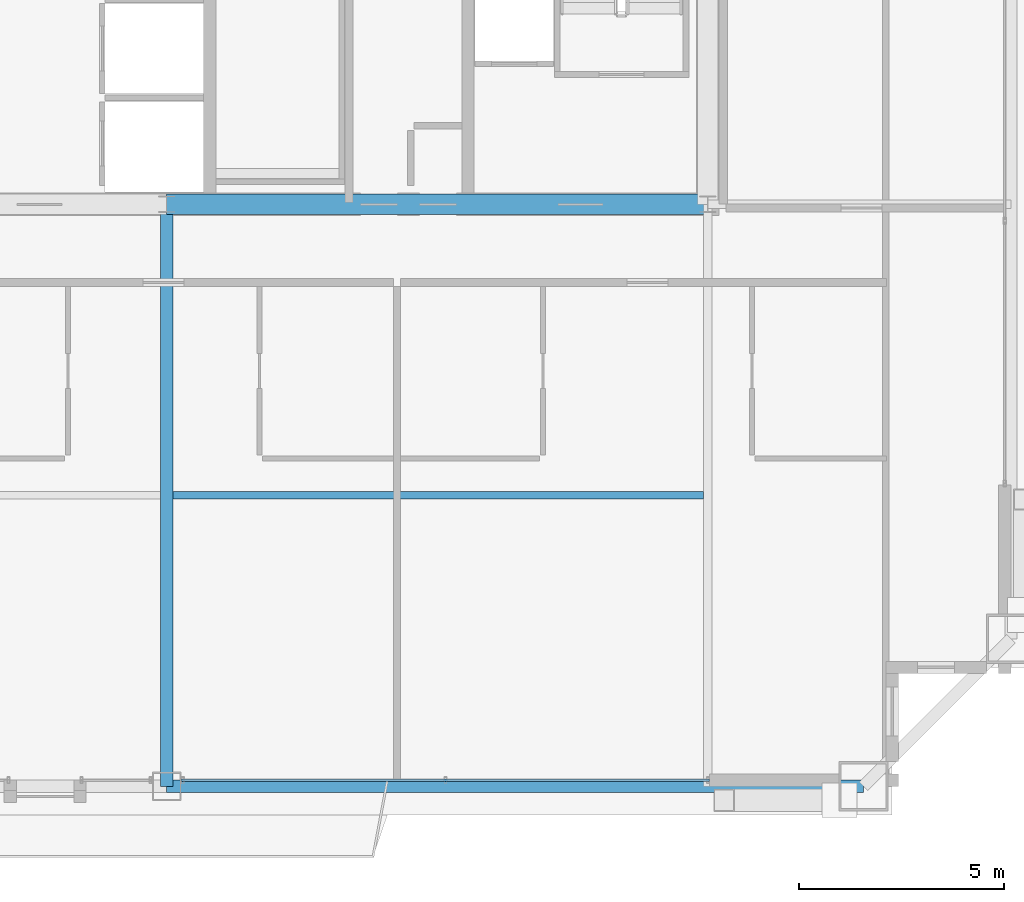
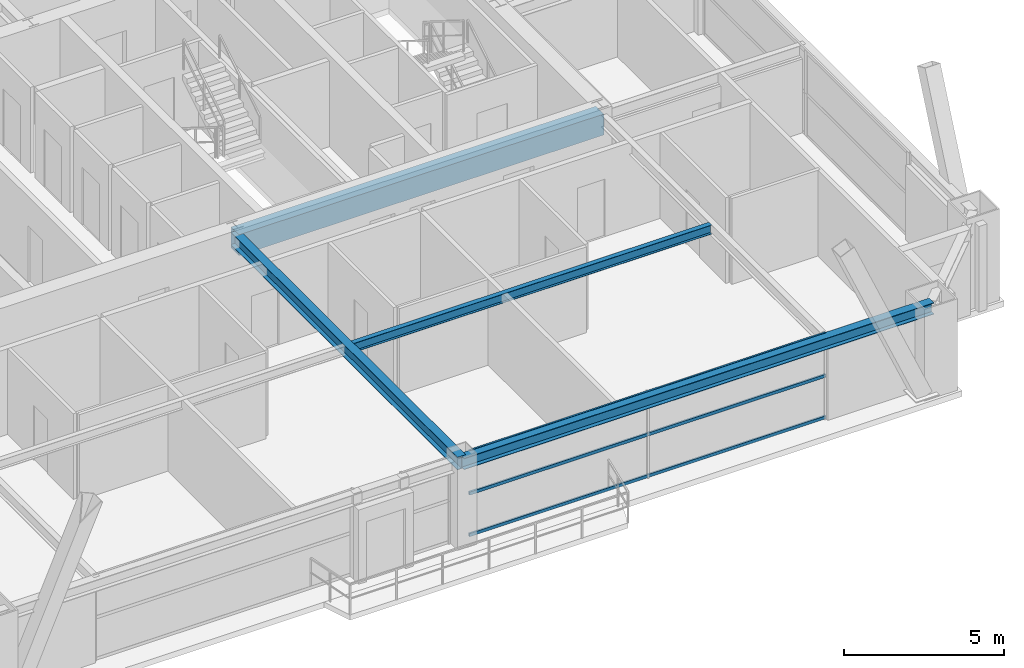
# One storey, part 8 of 33: 4 beams, 3 members, 1 element without a shape of its own.
"""IFC4 building model written with IfcOpenShell, lengths in metres."""

from ifc_helpers import new_model, si_unit, direction, frame, origin, origin_2d, place, context, subcontext, project, spatial, rectangle, hollow_rectangle, i_section, extrude, source, transform, mapped, material, layer, layer_set, material_profile, profile_set, type_object, element, aggregate, save


model = new_model("IFC4")

# Units and contexts
model_context = context("Model", 3, precision=1e-05, world=origin(), true_north=direction((0.0, 1.0)))
body_context = subcontext(model_context, "Body", "Model", "MODEL_VIEW")
ifc_project = project(units=[si_unit("LENGTHUNIT", "METRE"), si_unit("AREAUNIT", "SQUARE_METRE"), si_unit("VOLUMEUNIT", "CUBIC_METRE"), si_unit("PLANEANGLEUNIT", "RADIAN"), si_unit("MASSUNIT", "GRAM", prefix="KILO"), si_unit("THERMODYNAMICTEMPERATUREUNIT", "KELVIN"), si_unit("POWERUNIT", "WATT")], contexts=[model_context])

# Site, building, storey
site_placement = place(None, origin())
site = spatial("IfcSite", under=ifc_project, at=site_placement, CompositionType="ELEMENT")
building_placement = place(site_placement, origin())
building = spatial("IfcBuilding", under=site, at=building_placement, Name="Yuzanri Waterfront Tower", CompositionType="ELEMENT")
storey_placement = place(building_placement, frame((0.0, 0.0, 234.60009765625)))
storey = spatial("IfcBuildingStorey", under=building, at=storey_placement, Name="L62", CompositionType="ELEMENT", Elevation=234.60009765625)

# Beams
ifc_material_1 = material(Name="Concrete C50", Category="concrete")
ifc_material_profile_1 = material_profile(ifc_material_1, rectangle(XDim=0.5, YDim=0.800048828125, at=origin_2d()), Name="RC 500x800")
ifc_profile_set_1 = profile_set([ifc_material_profile_1], Name="Concrete C50")
beam_type_1 = type_object("IfcBeamType", Name="Core Coupling Lintel Concrete C50 500x800", PredefinedType="LINTEL", material=ifc_profile_set_1)
shared_shape_1 = source(origin(), body_context, "Body", "SweptSolid", [
    extrude(rectangle(XDim=0.5, YDim=0.800048828125, at=origin_2d()), origin(), (0.0, 0.0, 1.0), 13.199951171875),
])
beam_1_placement = place(storey_placement, frame((37.0, 19.39990234375, 2.8798828125), z_axis=(1.0, 0.0, 0.0), x_axis=(0.0, 1.0, 0.0)))
element("IfcBeam", 1, at=beam_1_placement, inside=storey, type_object=beam_type_1, Name="L62 Core Tie Beam CS2", PredefinedType="LINTEL", context=body_context, shape_type="MappedRepresentation", body=[
    mapped(shared_shape_1, transform((0.0, 0.0, 0.0), scale=1.0)),
])
ifc_material_2 = material(Name="Steel Q355B", Category="steel")
ifc_material_profile_2 = material_profile(ifc_material_2, i_section(OverallWidth=0.300048828125, OverallDepth=0.43994140625, WebThickness=0.010986328125, FlangeThickness=0.01806640625, at=origin_2d()), Name="HM 440x300x11x18")
ifc_profile_set_2 = profile_set([ifc_material_profile_2], Name="Steel Q355B")
beam_type_2 = type_object("IfcBeamType", Name="Perimeter Spandrel Q355B HM 440x300", PredefinedType="SPANDREL", material=ifc_profile_set_2)
shared_shape_2 = source(origin(), body_context, "Body", "SweptSolid", [
    extrude(i_section(OverallWidth=0.300048828125, OverallDepth=0.43994140625, WebThickness=0.010986328125, FlangeThickness=0.01806640625, at=origin_2d()), origin(), (0.0, 0.0, 1.0), 17.0),
])
beam_2_placement = place(storey_placement, frame((37.0, 5.199951171875, 3.059814453125), z_axis=(1.0, 0.0, 0.0), x_axis=(0.0, 1.0, 0.0)))
element("IfcBeam", 2, at=beam_2_placement, inside=storey, type_object=beam_type_2, Name="L62 Perimeter Spandrel S2-S3", PredefinedType="SPANDREL", context=body_context, shape_type="MappedRepresentation", body=[
    mapped(shared_shape_2, transform((0.0, 0.0, 0.0), scale=1.0)),
])
ifc_material_3 = material(Name="Steel Q355B", Category="steel")
ifc_material_profile_3 = material_profile(ifc_material_3, i_section(OverallWidth=0.300048828125, OverallDepth=0.488037109375, WebThickness=0.010986328125, FlangeThickness=0.01806640625, at=origin_2d()), Name="HM 488x300x11x18")
ifc_profile_set_3 = profile_set([ifc_material_profile_3], Name="Steel Q355B")
beam_type_3 = type_object("IfcBeamType", Name="Primary Floor Girder Q355B HM 488x300", PredefinedType="BEAM", material=ifc_profile_set_3)
shared_shape_3 = source(origin(), body_context, "Body", "SweptSolid", [
    extrude(i_section(OverallWidth=0.300048828125, OverallDepth=0.488037109375, WebThickness=0.010986328125, FlangeThickness=0.01806640625, at=origin_2d()), origin(), (0.0, 0.0, 1.0), 14.199951171875),
])
beam_3_placement = place(storey_placement, frame((37.0, 19.39990234375, 3.035888671875), z_axis=(0.0, -1.0, 0.0), x_axis=(1.0, 0.0, 0.0)))
element("IfcBeam", 3, at=beam_3_placement, inside=storey, type_object=beam_type_3, Name="L62 South Grid Girder", PredefinedType="BEAM", context=body_context, shape_type="MappedRepresentation", body=[
    mapped(shared_shape_3, transform((0.0, 0.0, 0.0), scale=1.0)),
])
ifc_material_4 = material(Name="Steel Q355B", Category="steel")
ifc_material_profile_4 = material_profile(ifc_material_4, i_section(OverallWidth=0.175048828125, OverallDepth=0.35009765625, WebThickness=0.007080078125, FlangeThickness=0.010986328125, at=origin_2d()), Name="HN 350x175x7x11")
ifc_profile_set_4 = profile_set([ifc_material_profile_4], Name="Steel Q355B")
beam_type_4 = type_object("IfcBeamType", Name="Floor Joist Q355B HN 350x175", PredefinedType="JOIST", material=ifc_profile_set_4)
shared_shape_4 = source(origin(), body_context, "Body", "SweptSolid", [
    extrude(i_section(OverallWidth=0.175048828125, OverallDepth=0.35009765625, WebThickness=0.007080078125, FlangeThickness=0.010986328125, at=origin_2d()), origin(), (0.0, 0.0, 1.0), 12.9501953125),
])
beam_4_placement = place(storey_placement, frame((37.14990234375, 12.300048828125, 3.10498046875), z_axis=(1.0, 0.0, 0.0), x_axis=(0.0, 1.0, 0.0)))
element("IfcBeam", 4, at=beam_4_placement, inside=storey, type_object=beam_type_4, Name="L62 South Bay Joist E", PredefinedType="JOIST", context=body_context, shape_type="MappedRepresentation", body=[
    mapped(shared_shape_4, transform((0.0, 0.0, 0.0), scale=1.0)),
])

# Curtain wall, members
ifc_material_5 = material(Name="Anodized Architectural Bronze", Category="metal")
ifc_layer = layer(ifc_material_5, 0.159912109375)
ifc_layer_set = layer_set([ifc_layer], Name="Anodized Architectural Bronze")
curtain_wall_type = type_object("IfcCurtainWallType", Name="Anodized Bronze Mid-Rise Residential Acoustic Unitized Curtain Wall 7200", PredefinedType="NOTDEFINED", material=ifc_layer_set)
curtain_wall_placement = place(storey_placement, origin())
curtain_wall = element("IfcCurtainWall", 5, at=curtain_wall_placement, inside=storey, type_object=curtain_wall_type, Name="L62 Curtain Wall CW-L62-SR", PredefinedType="NOTDEFINED")
ifc_material_6 = material(Name="Anodized Architectural Bronze", Category="metal")
ifc_material_profile_5 = material_profile(ifc_material_6, hollow_rectangle(XDim=0.06494140625, YDim=0.1201171875, WallThickness=0.00341796875, at=origin_2d()), Name="CWT 65x120")
ifc_profile_set_5 = profile_set([ifc_material_profile_5], Name="Anodized Architectural Bronze")
member_type = type_object("IfcMemberType", Name="Anodized Bronze Secondary Curtain-Wall Transom 65x120", PredefinedType="USERDEFINED", material=ifc_profile_set_5)
shared_shape_5 = source(origin(), body_context, "Body", "SweptSolid", [
    extrude(hollow_rectangle(XDim=0.06494140625, YDim=0.1201171875, WallThickness=0.00341796875, at=origin_2d()), origin(), (0.0, 0.0, 1.0), 12.89990234375),
])
member_1_placement = place(storey_placement, frame((37.35009765625, 5.35009765625, 0.0498046875), z_axis=(1.0, 0.0, 0.0), x_axis=(0.0, 1.0, 0.0)))
member_1 = element("IfcMember", 6, at=member_1_placement, type_object=member_type, Name="CW-L62-SR Transom 1", ObjectType="TRANSOM", PredefinedType="USERDEFINED", context=body_context, shape_type="MappedRepresentation", body=[
    mapped(shared_shape_5, transform((0.0, 0.0, 0.0), scale=1.0)),
])
member_2_placement = place(storey_placement, frame((37.35009765625, 5.35009765625, 1.639892578125), z_axis=(1.0, 0.0, 0.0), x_axis=(0.0, 1.0, 0.0)))
member_2 = element("IfcMember", 7, at=member_2_placement, type_object=member_type, Name="CW-L62-SR Transom 2", ObjectType="TRANSOM", PredefinedType="USERDEFINED", context=body_context, shape_type="MappedRepresentation", body=[
    mapped(shared_shape_5, transform((0.0, 0.0, 0.0), scale=1.0)),
])
member_3_placement = place(storey_placement, frame((37.35009765625, 5.35009765625, 3.22998046875), z_axis=(1.0, 0.0, 0.0), x_axis=(0.0, 1.0, 0.0)))
member_3 = element("IfcMember", 8, at=member_3_placement, type_object=member_type, Name="CW-L62-SR Transom 3", ObjectType="TRANSOM", PredefinedType="USERDEFINED", context=body_context, shape_type="MappedRepresentation", body=[
    mapped(shared_shape_5, transform((0.0, 0.0, 0.0), scale=1.0)),
])
aggregate(curtain_wall, [member_1, member_2, member_3])

save(model, "model.ifc")
